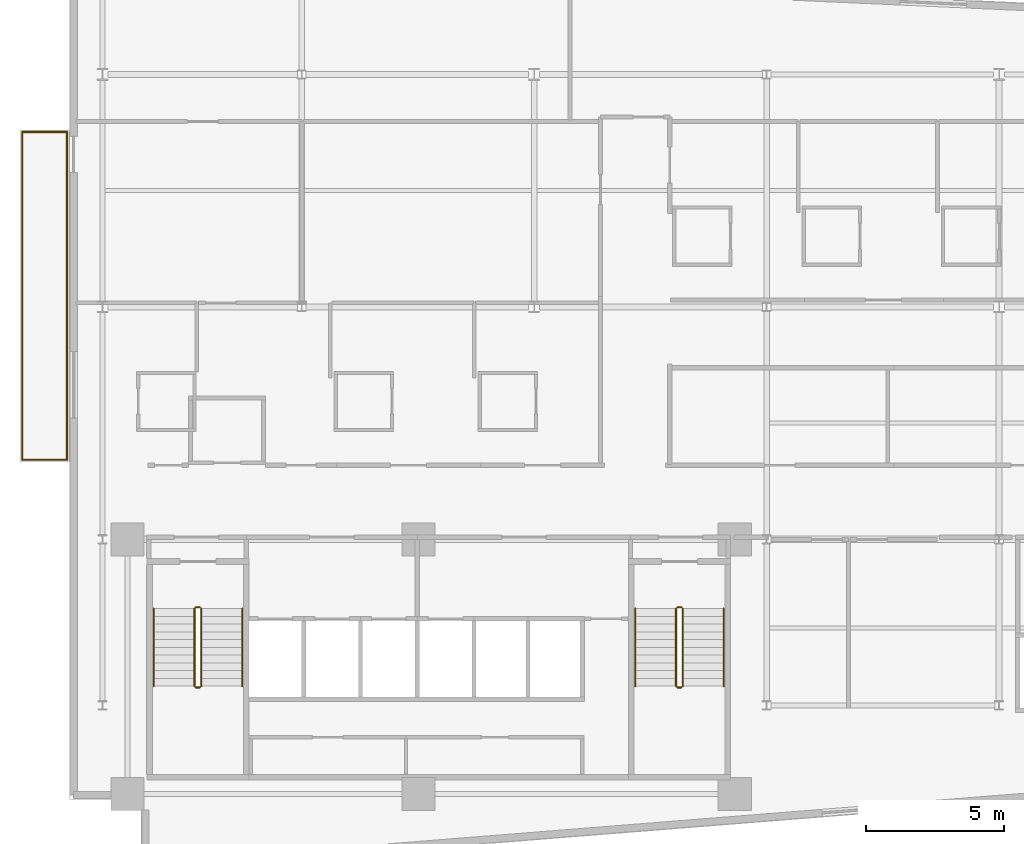
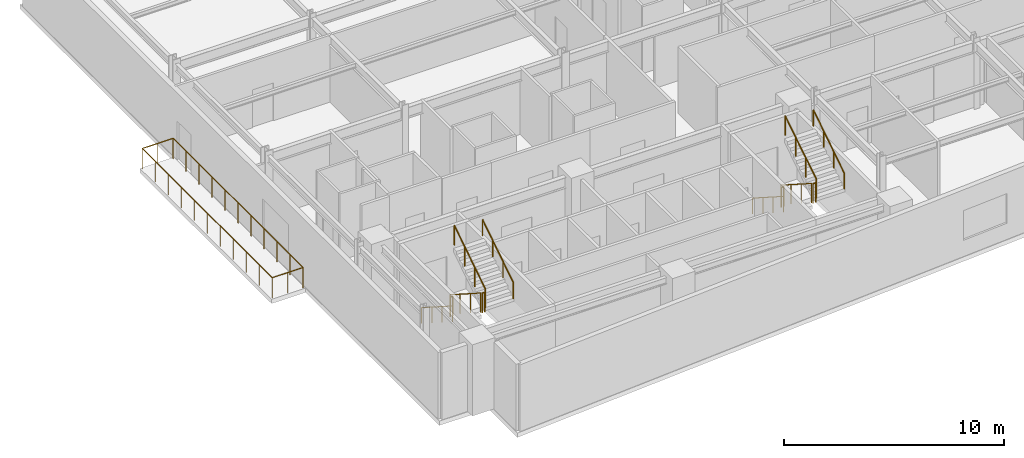
# One storey, part 15 of 18: 16 railings.
"""IFC4 building model written with IfcOpenShell, lengths in metres."""

from ifc_helpers import new_model, si_unit, direction, frame, origin, origin_2d, place, context, subcontext, project, spatial, circle, extrude, material, type_object, element, save


model = new_model("IFC4")

# Units and contexts
model_context = context("Model", 3, precision=1e-05, world=origin(), true_north=direction((0.0, 1.0)))
body_context = subcontext(model_context, "Body", "Model", "MODEL_VIEW")
ifc_project = project(units=[si_unit("LENGTHUNIT", "METRE"), si_unit("AREAUNIT", "SQUARE_METRE"), si_unit("VOLUMEUNIT", "CUBIC_METRE"), si_unit("PLANEANGLEUNIT", "RADIAN"), si_unit("MASSUNIT", "GRAM", prefix="KILO")], contexts=[model_context])

# Site, building, storey
site_placement = place(None, origin())
site = spatial("IfcSite", under=ifc_project, at=site_placement, CompositionType="ELEMENT")
building_placement = place(site_placement, origin())
building = spatial("IfcBuilding", under=site, at=building_placement, Name="Varnakote Quay Hospital", CompositionType="ELEMENT")
storey_placement = place(building_placement, frame((0.0, 0.0, 119.14990234375)))
storey = spatial("IfcBuildingStorey", under=building, at=storey_placement, Name="L29", CompositionType="ELEMENT", Elevation=119.14990234375)

# Railings
ifc_material_1 = material(Name="Anodised aluminium 6063-T6 Bronze", Category="aluminium")
railing_type_1 = type_object("IfcRailingType", Name="RLG-EXT-GUARD-1150", PredefinedType="GUARDRAIL", material=ifc_material_1)
railing_1_placement = place(storey_placement, frame((-0.075927734375, 14.8798828125, 0.0)))
element("IfcRailing", 1, at=railing_1_placement, inside=storey, type_object=railing_type_1, Name="L29 Zigzag Prow Healing Terrace Safety Guard", PredefinedType="GUARDRAIL", context=body_context, shape_type="SweptSolid", body=[
    extrude(circle(Radius=0.02392578125, at=origin_2d()), frame((0.0, 0.0, 1.1259765625), z_axis=(-1.0, 0.0, 0.0), x_axis=(0.0, -1.0, 0.0)), (0.0, 0.0, 1.0), 1.6240234375),
    extrude(circle(Radius=0.02099609375, at=origin_2d()), origin(), (0.0, 0.0, 1.0), 1.101806640625),
    extrude(circle(Radius=0.02099609375, at=origin_2d()), frame((-0.81201171875, 0.0, 0.0)), (0.0, 0.0, 1.0), 1.101806640625),
    extrude(circle(Radius=0.02099609375, at=origin_2d()), frame((-1.6240234375, 0.0, 0.0)), (0.0, 0.0, 1.0), 1.101806640625),
])
railing_2_placement = place(storey_placement, frame((-1.699951171875, 14.8798828125, 0.0)))
element("IfcRailing", 2, at=railing_2_placement, inside=storey, type_object=railing_type_1, Name="L29 Zigzag Prow Healing Terrace Safety Guard", PredefinedType="GUARDRAIL", context=body_context, shape_type="SweptSolid", body=[
    extrude(circle(Radius=0.02392578125, at=origin_2d()), frame((0.0, 0.0, 1.1259765625), z_axis=(0.0, 1.0, 0.0), x_axis=(-1.0, 0.0, 0.0)), (0.0, 0.0, 1.0), 11.840087890625),
    extrude(circle(Radius=0.02099609375, at=origin_2d()), origin(), (0.0, 0.0, 1.0), 1.101806640625),
    extrude(circle(Radius=0.02099609375, at=origin_2d()), frame((0.0, 1.18408203125, 0.0)), (0.0, 0.0, 1.0), 1.101806640625),
    extrude(circle(Radius=0.02099609375, at=origin_2d()), frame((0.0, 2.367919921875, 0.0)), (0.0, 0.0, 1.0), 1.101806640625),
    extrude(circle(Radius=0.02099609375, at=origin_2d()), frame((0.0, 3.552001953125, 0.0)), (0.0, 0.0, 1.0), 1.101806640625),
    extrude(circle(Radius=0.02099609375, at=origin_2d()), frame((0.0, 4.736083984375, 0.0)), (0.0, 0.0, 1.0), 1.101806640625),
    extrude(circle(Radius=0.02099609375, at=origin_2d()), frame((0.0, 5.919921875, 0.0)), (0.0, 0.0, 1.0), 1.101806640625),
    extrude(circle(Radius=0.02099609375, at=origin_2d()), frame((0.0, 7.10400390625, 0.0)), (0.0, 0.0, 1.0), 1.101806640625),
    extrude(circle(Radius=0.02099609375, at=origin_2d()), frame((0.0, 8.2880859375, 0.0)), (0.0, 0.0, 1.0), 1.101806640625),
    extrude(circle(Radius=0.02099609375, at=origin_2d()), frame((0.0, 9.47216796875, 0.0)), (0.0, 0.0, 1.0), 1.101806640625),
    extrude(circle(Radius=0.02099609375, at=origin_2d()), frame((0.0, 10.656005859375, 0.0)), (0.0, 0.0, 1.0), 1.101806640625),
    extrude(circle(Radius=0.02099609375, at=origin_2d()), frame((0.0, 11.840087890625, 0.0)), (0.0, 0.0, 1.0), 1.101806640625),
])
railing_3_placement = place(storey_placement, frame((-1.699951171875, 26.719970703125, 0.0)))
element("IfcRailing", 3, at=railing_3_placement, inside=storey, type_object=railing_type_1, Name="L29 Zigzag Prow Healing Terrace Safety Guard", PredefinedType="GUARDRAIL", context=body_context, shape_type="SweptSolid", body=[
    extrude(circle(Radius=0.02392578125, at=origin_2d()), frame((0.0, 0.0, 1.1259765625), z_axis=(1.0, 0.0, 0.0), x_axis=(0.0, 1.0, 0.0)), (0.0, 0.0, 1.0), 1.6240234375),
    extrude(circle(Radius=0.02099609375, at=origin_2d()), origin(), (0.0, 0.0, 1.0), 1.101806640625),
    extrude(circle(Radius=0.02099609375, at=origin_2d()), frame((0.81201171875, 0.0, 0.0)), (0.0, 0.0, 1.0), 1.101806640625),
    extrude(circle(Radius=0.02099609375, at=origin_2d()), frame((1.6240234375, 0.0, 0.0)), (0.0, 0.0, 1.0), 1.101806640625),
])
railing_4_placement = place(storey_placement, frame((-0.075927734375, 26.719970703125, 0.0)))
element("IfcRailing", 4, at=railing_4_placement, inside=storey, type_object=railing_type_1, Name="L29 Zigzag Prow Healing Terrace Safety Guard", PredefinedType="GUARDRAIL", context=body_context, shape_type="SweptSolid", body=[
    extrude(circle(Radius=0.02392578125, at=origin_2d()), frame((0.0, 0.0, 1.1259765625), z_axis=(0.0, -1.0, 0.0), x_axis=(1.0, 0.0, 0.0)), (0.0, 0.0, 1.0), 11.840087890625),
    extrude(circle(Radius=0.02099609375, at=origin_2d()), origin(), (0.0, 0.0, 1.0), 1.101806640625),
    extrude(circle(Radius=0.02099609375, at=origin_2d()), frame((0.0, -1.18408203125, 0.0)), (0.0, 0.0, 1.0), 1.101806640625),
    extrude(circle(Radius=0.02099609375, at=origin_2d()), frame((0.0, -2.367919921875, 0.0)), (0.0, 0.0, 1.0), 1.101806640625),
    extrude(circle(Radius=0.02099609375, at=origin_2d()), frame((0.0, -3.552001953125, 0.0)), (0.0, 0.0, 1.0), 1.101806640625),
    extrude(circle(Radius=0.02099609375, at=origin_2d()), frame((0.0, -4.736083984375, 0.0)), (0.0, 0.0, 1.0), 1.101806640625),
    extrude(circle(Radius=0.02099609375, at=origin_2d()), frame((0.0, -5.919921875, 0.0)), (0.0, 0.0, 1.0), 1.101806640625),
    extrude(circle(Radius=0.02099609375, at=origin_2d()), frame((0.0, -7.10400390625, 0.0)), (0.0, 0.0, 1.0), 1.101806640625),
    extrude(circle(Radius=0.02099609375, at=origin_2d()), frame((0.0, -8.2880859375, 0.0)), (0.0, 0.0, 1.0), 1.101806640625),
    extrude(circle(Radius=0.02099609375, at=origin_2d()), frame((0.0, -9.47216796875, 0.0)), (0.0, 0.0, 1.0), 1.101806640625),
    extrude(circle(Radius=0.02099609375, at=origin_2d()), frame((0.0, -10.656005859375, 0.0)), (0.0, 0.0, 1.0), 1.101806640625),
    extrude(circle(Radius=0.02099609375, at=origin_2d()), frame((0.0, -11.840087890625, 0.0)), (0.0, 0.0, 1.0), 1.101806640625),
])
ifc_material_2 = material(Name="Brushed stainless steel balustrade", Category="steel")
railing_type_2 = type_object("IfcRailingType", Name="RLG-STAIR-GUARD-1150", PredefinedType="GUARDRAIL", material=ifc_material_2)
railing_5_placement = place(storey_placement, frame((4.530029296875, 9.5, 0.1796875)))
element("IfcRailing", 5, at=railing_5_placement, inside=storey, type_object=railing_type_2, Name="L29 ST-01 stair guard 1", PredefinedType="GUARDRAIL", context=body_context, shape_type="SweptSolid", body=[
    extrude(circle(Radius=0.02392578125, at=origin_2d()), frame((0.0, 0.0, 1.076171875), z_axis=(0.0, -0.841809871826, 0.539774156196), x_axis=(1.0, 0.0, 0.0)), (0.0, 0.0, 1.0), 3.326171875),
    extrude(circle(Radius=0.02099609375, at=origin_2d()), origin(), (0.0, 0.0, 1.0), 1.052001953125),
    extrude(circle(Radius=0.02099609375, at=origin_2d()), frame((0.0, -0.933349609375, 0.598388671875)), (0.0, 0.0, 1.0), 1.052001953125),
    extrude(circle(Radius=0.02099609375, at=origin_2d()), frame((0.0, -1.86669921875, 1.197021484375)), (0.0, 0.0, 1.0), 1.052001953125),
    extrude(circle(Radius=0.02099609375, at=origin_2d()), frame((0.0, -2.800048828125, 1.79541015625)), (0.0, 0.0, 1.0), 1.052001953125),
])
railing_6_placement = place(storey_placement, frame((4.580078125, 6.64990234375, 1.97509765625)))
element("IfcRailing", 6, at=railing_6_placement, inside=storey, type_object=railing_type_2, Name="L29 ST-01 stair guard 2", PredefinedType="GUARDRAIL", context=body_context, shape_type="SweptSolid", body=[
    extrude(circle(Radius=0.02392578125, at=origin_2d()), frame((0.0, 0.0, 1.076171875), z_axis=(1.0, 0.0, 0.0), x_axis=(0.0, 1.0, 0.0)), (0.0, 0.0, 1.0), 0.139892578125),
    extrude(circle(Radius=0.02099609375, at=origin_2d()), origin(), (0.0, 0.0, 1.0), 1.052001953125),
    extrude(circle(Radius=0.02099609375, at=origin_2d()), frame((0.139892578125, 0.0, 0.0)), (0.0, 0.0, 1.0), 1.052001953125),
])
railing_7_placement = place(storey_placement, frame((4.77001953125, 6.699951171875, 2.154541015625)))
element("IfcRailing", 7, at=railing_7_placement, inside=storey, type_object=railing_type_2, Name="L29 ST-01 stair guard 3", PredefinedType="GUARDRAIL", context=body_context, shape_type="SweptSolid", body=[
    extrude(circle(Radius=0.02392578125, at=origin_2d()), frame((0.0, 0.0, 1.076171875), z_axis=(0.0, 0.841776520102, 0.539826166654), x_axis=(-1.0, 0.0, 0.0)), (0.0, 0.0, 1.0), 3.326416015625),
    extrude(circle(Radius=0.02099609375, at=origin_2d()), origin(), (0.0, 0.0, 1.0), 1.052001953125),
    extrude(circle(Radius=0.02099609375, at=origin_2d()), frame((0.0, 0.933349609375, 0.5986328125)), (0.0, 0.0, 1.0), 1.052001953125),
    extrude(circle(Radius=0.02099609375, at=origin_2d()), frame((0.0, 1.86669921875, 1.197021484375)), (0.0, 0.0, 1.0), 1.052001953125),
    extrude(circle(Radius=0.02099609375, at=origin_2d()), frame((0.0, 2.800048828125, 1.795654296875)), (0.0, 0.0, 1.0), 1.052001953125),
])
railing_8_placement = place(storey_placement, frame((4.580078125, 9.550048828125, 0.0)))
element("IfcRailing", 8, at=railing_8_placement, inside=storey, type_object=railing_type_2, Name="L29 ST-01 stair guard 4", PredefinedType="GUARDRAIL", context=body_context, shape_type="SweptSolid", body=[
    extrude(circle(Radius=0.02392578125, at=origin_2d()), frame((0.0, 0.0, 1.076171875), z_axis=(1.0, 0.0, 0.0), x_axis=(0.0, 1.0, 0.0)), (0.0, 0.0, 1.0), 0.139892578125),
    extrude(circle(Radius=0.02099609375, at=origin_2d()), origin(), (0.0, 0.0, 1.0), 1.052001953125),
    extrude(circle(Radius=0.02099609375, at=origin_2d()), frame((0.139892578125, 0.0, 0.0)), (0.0, 0.0, 1.0), 1.052001953125),
])
railing_9_placement = place(storey_placement, frame((21.929931640625, 9.5, 0.1796875)))
element("IfcRailing", 9, at=railing_9_placement, inside=storey, type_object=railing_type_2, Name="L29 ST-02 stair guard 1", PredefinedType="GUARDRAIL", context=body_context, shape_type="SweptSolid", body=[
    extrude(circle(Radius=0.02392578125, at=origin_2d()), frame((0.0, 0.0, 1.076171875), z_axis=(0.0, -0.841809871826, 0.539774156196), x_axis=(1.0, 0.0, 0.0)), (0.0, 0.0, 1.0), 3.326171875),
    extrude(circle(Radius=0.02099609375, at=origin_2d()), origin(), (0.0, 0.0, 1.0), 1.052001953125),
    extrude(circle(Radius=0.02099609375, at=origin_2d()), frame((0.0, -0.933349609375, 0.598388671875)), (0.0, 0.0, 1.0), 1.052001953125),
    extrude(circle(Radius=0.02099609375, at=origin_2d()), frame((0.0, -1.86669921875, 1.197021484375)), (0.0, 0.0, 1.0), 1.052001953125),
    extrude(circle(Radius=0.02099609375, at=origin_2d()), frame((0.0, -2.800048828125, 1.79541015625)), (0.0, 0.0, 1.0), 1.052001953125),
])
railing_10_placement = place(storey_placement, frame((21.97998046875, 6.64990234375, 1.97509765625)))
element("IfcRailing", 10, at=railing_10_placement, inside=storey, type_object=railing_type_2, Name="L29 ST-02 stair guard 2", PredefinedType="GUARDRAIL", context=body_context, shape_type="SweptSolid", body=[
    extrude(circle(Radius=0.02392578125, at=origin_2d()), frame((0.0, 0.0, 1.076171875), z_axis=(1.0, 0.0, 0.0), x_axis=(0.0, 1.0, 0.0)), (0.0, 0.0, 1.0), 0.14013671875),
    extrude(circle(Radius=0.02099609375, at=origin_2d()), origin(), (0.0, 0.0, 1.0), 1.052001953125),
    extrude(circle(Radius=0.02099609375, at=origin_2d()), frame((0.14013671875, 0.0, 0.0)), (0.0, 0.0, 1.0), 1.052001953125),
])
railing_11_placement = place(storey_placement, frame((22.169921875, 6.699951171875, 2.154541015625)))
element("IfcRailing", 11, at=railing_11_placement, inside=storey, type_object=railing_type_2, Name="L29 ST-02 stair guard 3", PredefinedType="GUARDRAIL", context=body_context, shape_type="SweptSolid", body=[
    extrude(circle(Radius=0.02392578125, at=origin_2d()), frame((0.0, 0.0, 1.076171875), z_axis=(0.0, 0.841776520102, 0.539826166654), x_axis=(-1.0, 0.0, 0.0)), (0.0, 0.0, 1.0), 3.326416015625),
    extrude(circle(Radius=0.02099609375, at=origin_2d()), origin(), (0.0, 0.0, 1.0), 1.052001953125),
    extrude(circle(Radius=0.02099609375, at=origin_2d()), frame((0.0, 0.933349609375, 0.5986328125)), (0.0, 0.0, 1.0), 1.052001953125),
    extrude(circle(Radius=0.02099609375, at=origin_2d()), frame((0.0, 1.86669921875, 1.197021484375)), (0.0, 0.0, 1.0), 1.052001953125),
    extrude(circle(Radius=0.02099609375, at=origin_2d()), frame((0.0, 2.800048828125, 1.795654296875)), (0.0, 0.0, 1.0), 1.052001953125),
])
railing_12_placement = place(storey_placement, frame((21.97998046875, 9.550048828125, 0.0)))
element("IfcRailing", 12, at=railing_12_placement, inside=storey, type_object=railing_type_2, Name="L29 ST-02 stair guard 4", PredefinedType="GUARDRAIL", context=body_context, shape_type="SweptSolid", body=[
    extrude(circle(Radius=0.02392578125, at=origin_2d()), frame((0.0, 0.0, 1.076171875), z_axis=(1.0, 0.0, 0.0), x_axis=(0.0, 1.0, 0.0)), (0.0, 0.0, 1.0), 0.14013671875),
    extrude(circle(Radius=0.02099609375, at=origin_2d()), origin(), (0.0, 0.0, 1.0), 1.052001953125),
    extrude(circle(Radius=0.02099609375, at=origin_2d()), frame((0.14013671875, 0.0, 0.0)), (0.0, 0.0, 1.0), 1.052001953125),
])
ifc_material_3 = material(Name="Brushed stainless steel handrail", Category="steel")
railing_type_3 = type_object("IfcRailingType", Name="RLG-STAIR-HND-920", PredefinedType="HANDRAIL", material=ifc_material_3)
railing_13_placement = place(storey_placement, frame((3.050048828125, 9.5, 0.1796875)))
element("IfcRailing", 13, at=railing_13_placement, inside=storey, type_object=railing_type_3, Name="L29 ST-01 stair handrail 1", PredefinedType="HANDRAIL", context=body_context, shape_type="SweptSolid", body=[
    extrude(circle(Radius=0.02392578125, at=origin_2d()), frame((0.0, 0.0, 0.8759765625), z_axis=(0.0, -0.841809871826, 0.539774156196), x_axis=(1.0, 0.0, 0.0)), (0.0, 0.0, 1.0), 3.326171875),
    extrude(circle(Radius=0.02099609375, at=origin_2d()), origin(), (0.0, 0.0, 1.0), 0.851806640625),
    extrude(circle(Radius=0.02099609375, at=origin_2d()), frame((0.0, -0.933349609375, 0.598388671875)), (0.0, 0.0, 1.0), 0.851806640625),
    extrude(circle(Radius=0.02099609375, at=origin_2d()), frame((0.0, -1.86669921875, 1.197021484375)), (0.0, 0.0, 1.0), 0.851806640625),
    extrude(circle(Radius=0.02099609375, at=origin_2d()), frame((0.0, -2.800048828125, 1.79541015625)), (0.0, 0.0, 1.0), 0.851806640625),
])
railing_14_placement = place(storey_placement, frame((6.25, 6.699951171875, 2.154541015625)))
element("IfcRailing", 14, at=railing_14_placement, inside=storey, type_object=railing_type_3, Name="L29 ST-01 stair handrail 2", PredefinedType="HANDRAIL", context=body_context, shape_type="SweptSolid", body=[
    extrude(circle(Radius=0.02392578125, at=origin_2d()), frame((0.0, 0.0, 0.8759765625), z_axis=(0.0, 0.841776520102, 0.539826166654), x_axis=(-1.0, 0.0, 0.0)), (0.0, 0.0, 1.0), 3.326416015625),
    extrude(circle(Radius=0.02099609375, at=origin_2d()), origin(), (0.0, 0.0, 1.0), 0.851806640625),
    extrude(circle(Radius=0.02099609375, at=origin_2d()), frame((0.0, 0.933349609375, 0.5986328125)), (0.0, 0.0, 1.0), 0.851806640625),
    extrude(circle(Radius=0.02099609375, at=origin_2d()), frame((0.0, 1.86669921875, 1.197021484375)), (0.0, 0.0, 1.0), 0.851806640625),
    extrude(circle(Radius=0.02099609375, at=origin_2d()), frame((0.0, 2.800048828125, 1.795654296875)), (0.0, 0.0, 1.0), 0.851806640625),
])
railing_15_placement = place(storey_placement, frame((20.449951171875, 9.5, 0.1796875)))
element("IfcRailing", 15, at=railing_15_placement, inside=storey, type_object=railing_type_3, Name="L29 ST-02 stair handrail 1", PredefinedType="HANDRAIL", context=body_context, shape_type="SweptSolid", body=[
    extrude(circle(Radius=0.02392578125, at=origin_2d()), frame((0.0, 0.0, 0.8759765625), z_axis=(0.0, -0.841809871826, 0.539774156196), x_axis=(1.0, 0.0, 0.0)), (0.0, 0.0, 1.0), 3.326171875),
    extrude(circle(Radius=0.02099609375, at=origin_2d()), origin(), (0.0, 0.0, 1.0), 0.851806640625),
    extrude(circle(Radius=0.02099609375, at=origin_2d()), frame((0.0, -0.933349609375, 0.598388671875)), (0.0, 0.0, 1.0), 0.851806640625),
    extrude(circle(Radius=0.02099609375, at=origin_2d()), frame((0.0, -1.86669921875, 1.197021484375)), (0.0, 0.0, 1.0), 0.851806640625),
    extrude(circle(Radius=0.02099609375, at=origin_2d()), frame((0.0, -2.800048828125, 1.79541015625)), (0.0, 0.0, 1.0), 0.851806640625),
])
railing_16_placement = place(storey_placement, frame((23.64990234375, 6.699951171875, 2.154541015625)))
element("IfcRailing", 16, at=railing_16_placement, inside=storey, type_object=railing_type_3, Name="L29 ST-02 stair handrail 2", PredefinedType="HANDRAIL", context=body_context, shape_type="SweptSolid", body=[
    extrude(circle(Radius=0.02392578125, at=origin_2d()), frame((0.0, 0.0, 0.8759765625), z_axis=(0.0, 0.841776520102, 0.539826166654), x_axis=(-1.0, 0.0, 0.0)), (0.0, 0.0, 1.0), 3.326416015625),
    extrude(circle(Radius=0.02099609375, at=origin_2d()), origin(), (0.0, 0.0, 1.0), 0.851806640625),
    extrude(circle(Radius=0.02099609375, at=origin_2d()), frame((0.0, 0.933349609375, 0.5986328125)), (0.0, 0.0, 1.0), 0.851806640625),
    extrude(circle(Radius=0.02099609375, at=origin_2d()), frame((0.0, 1.86669921875, 1.197021484375)), (0.0, 0.0, 1.0), 0.851806640625),
    extrude(circle(Radius=0.02099609375, at=origin_2d()), frame((0.0, 2.800048828125, 1.795654296875)), (0.0, 0.0, 1.0), 0.851806640625),
])

save(model, "model.ifc")
